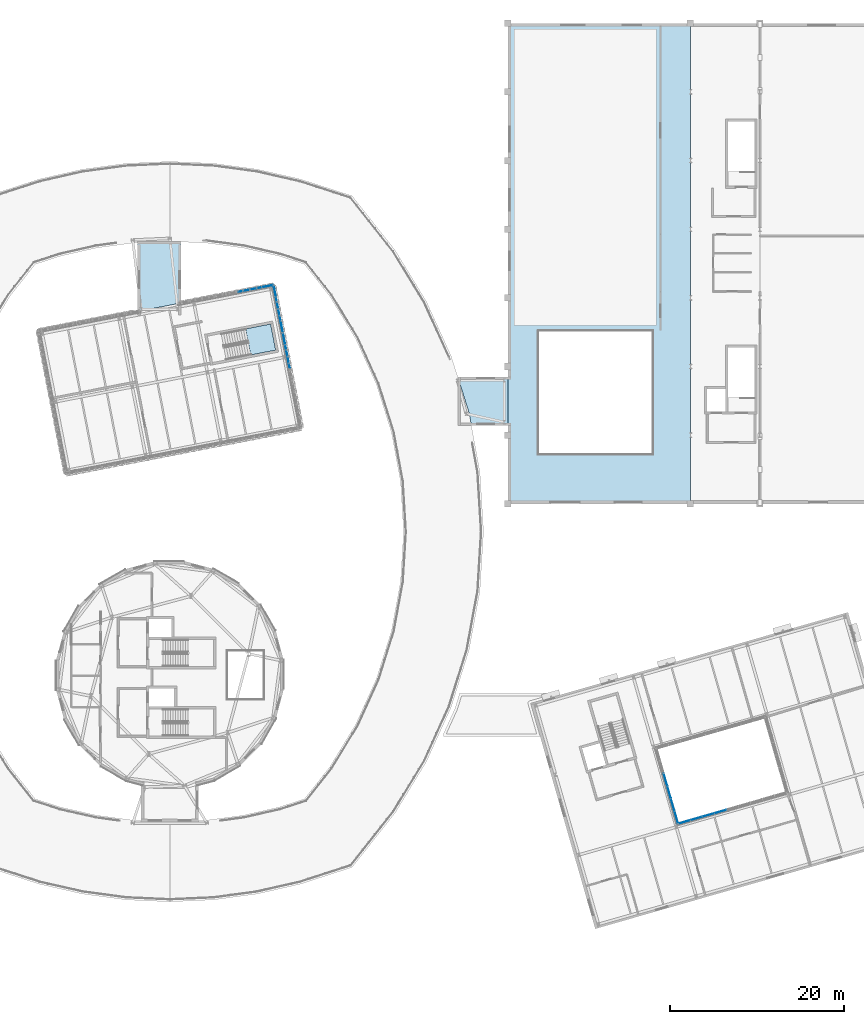
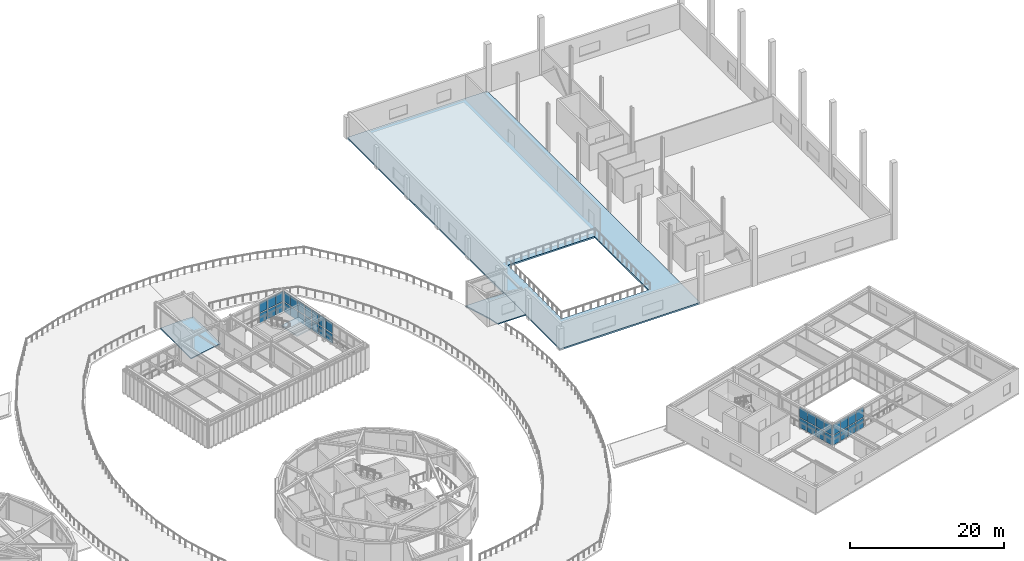
# One storey, part 29 of 59: 36 plates, 4 slabs, 6 elements without a shape of their own.
"""IFC4 building model written with IfcOpenShell, lengths in metres."""

from ifc_helpers import new_model, si_unit, direction, frame, origin, origin_2d, place, context, subcontext, project, spatial, polyline, rectangle, outline, extrude, material, layer, layer_set, type_object, element, aggregate, save


model = new_model("IFC4")

# Units and contexts
model_context = context("Model", 3, precision=1e-05, world=origin(), true_north=direction((0.0, 1.0)))
body_context = subcontext(model_context, "Body", "Model", "MODEL_VIEW")
ifc_project = project(units=[si_unit("LENGTHUNIT", "METRE"), si_unit("AREAUNIT", "SQUARE_METRE"), si_unit("VOLUMEUNIT", "CUBIC_METRE"), si_unit("PLANEANGLEUNIT", "RADIAN"), si_unit("MASSUNIT", "GRAM", prefix="KILO")], contexts=[model_context])

# Site, building, storey
site_placement = place(None, origin())
site = spatial("IfcSite", under=ifc_project, at=site_placement, CompositionType="ELEMENT")
building_placement = place(site_placement, origin())
building = spatial("IfcBuilding", under=site, at=building_placement, Name="Varnklinge Art Gallery", CompositionType="ELEMENT")
storey_placement = place(building_placement, frame((0.0, 0.0, 9.52001953125)))
storey = spatial("IfcBuildingStorey", under=building, at=storey_placement, Name="L02", CompositionType="ELEMENT", Elevation=9.52001953125)

# Curtain wall, plates
ifc_material_1 = material(Name="Anodised Aluminium", Category="aluminium")
curtain_wall_type_1 = type_object("IfcCurtainWallType", Name="CW-C03", PredefinedType="USERDEFINED", material=ifc_material_1)
curtain_wall_1_placement = place(storey_placement, origin())
curtain_wall_1 = element("IfcCurtainWall", 1, at=curtain_wall_1_placement, inside=storey, type_object=curtain_wall_type_1, Name="L02 Curtain Wall CW-V6C-L02-1", ObjectType="UNITISED CURTAIN WALL", PredefinedType="USERDEFINED")
ifc_material_2 = material(Name="Insulated Low-E Triple Glazing", Category="glass")
ifc_layer_1 = layer(ifc_material_2, 0.031982421875)
ifc_layer_set_1 = layer_set([ifc_layer_1], Name="Insulated Low-E Triple Glazing")
plate_type_1 = type_object("IfcPlateType", Name="GLZ-32", PredefinedType="CURTAIN_PANEL", material=ifc_layer_set_1)
plate_1_placement = place(storey_placement, frame((138.851806640625, 22.776123046875, 0.1181640625), z_axis=(0.0, 0.0, 1.0), x_axis=(-0.961261695938, -0.275637355817, 0.0)))
plate_1 = element("IfcPlate", 2, at=plate_1_placement, type_object=plate_type_1, Name="CW-V6C-L02-1 Glazing Panel 6.1", PredefinedType="CURTAIN_PANEL", context=body_context, shape_type="SweptSolid", body=[
    extrude(rectangle(XDim=1.388427734375, YDim=0.031982421875, at=origin_2d()), origin(), (0.0, 0.0, 1.0), 1.489501953125),
])
plate_2_placement = place(storey_placement, frame((138.851806640625, 22.776123046875, 1.7236328125), z_axis=(0.0, 0.0, 1.0), x_axis=(-0.961261695938, -0.275637355817, 0.0)))
plate_2 = element("IfcPlate", 3, at=plate_2_placement, type_object=plate_type_1, Name="CW-V6C-L02-1 Glazing Panel 6.2", PredefinedType="CURTAIN_PANEL", context=body_context, shape_type="SweptSolid", body=[
    extrude(rectangle(XDim=1.388427734375, YDim=0.031982421875, at=origin_2d()), origin(), (0.0, 0.0, 1.0), 1.62841796875),
])
plate_3_placement = place(storey_placement, frame((137.46337890625, 22.378173828125, 0.1181640625), z_axis=(0.0, 0.0, 1.0), x_axis=(-0.961261695938, -0.275637355817, 0.0)))
plate_3 = element("IfcPlate", 4, at=plate_3_placement, type_object=plate_type_1, Name="CW-V6C-L02-1 Glazing Panel 7.1", PredefinedType="CURTAIN_PANEL", context=body_context, shape_type="SweptSolid", body=[
    extrude(rectangle(XDim=1.388427734375, YDim=0.031982421875, at=origin_2d()), origin(), (0.0, 0.0, 1.0), 1.489501953125),
])
plate_4_placement = place(storey_placement, frame((137.46337890625, 22.378173828125, 1.7236328125), z_axis=(0.0, 0.0, 1.0), x_axis=(-0.961261695938, -0.275637355817, 0.0)))
plate_4 = element("IfcPlate", 5, at=plate_4_placement, type_object=plate_type_1, Name="CW-V6C-L02-1 Glazing Panel 7.2", PredefinedType="CURTAIN_PANEL", context=body_context, shape_type="SweptSolid", body=[
    extrude(rectangle(XDim=1.388427734375, YDim=0.031982421875, at=origin_2d()), origin(), (0.0, 0.0, 1.0), 1.62841796875),
])
plate_5_placement = place(storey_placement, frame((136.074951171875, 21.97998046875, 0.1181640625), z_axis=(0.0, 0.0, 1.0), x_axis=(-0.961261695938, -0.275637355817, 0.0)))
plate_5 = element("IfcPlate", 6, at=plate_5_placement, type_object=plate_type_1, Name="CW-V6C-L02-1 Glazing Panel 8.1", PredefinedType="CURTAIN_PANEL", context=body_context, shape_type="SweptSolid", body=[
    extrude(rectangle(XDim=1.388427734375, YDim=0.031982421875, at=origin_2d()), origin(), (0.0, 0.0, 1.0), 1.489501953125),
])
plate_6_placement = place(storey_placement, frame((136.074951171875, 21.97998046875, 1.7236328125), z_axis=(0.0, 0.0, 1.0), x_axis=(-0.961261695938, -0.275637355817, 0.0)))
plate_6 = element("IfcPlate", 7, at=plate_6_placement, type_object=plate_type_1, Name="CW-V6C-L02-1 Glazing Panel 8.2", PredefinedType="CURTAIN_PANEL", context=body_context, shape_type="SweptSolid", body=[
    extrude(rectangle(XDim=1.388427734375, YDim=0.031982421875, at=origin_2d()), origin(), (0.0, 0.0, 1.0), 1.62841796875),
])
plate_7_placement = place(storey_placement, frame((134.700927734375, 21.5859375, 0.1181640625), z_axis=(0.0, 0.0, 1.0), x_axis=(-0.961261695938, -0.275637355817, 0.0)))
plate_7 = element("IfcPlate", 8, at=plate_7_placement, type_object=plate_type_1, Name="CW-V6C-L02-1 Glazing Panel 9.1", PredefinedType="CURTAIN_PANEL", context=body_context, shape_type="SweptSolid", body=[
    extrude(rectangle(XDim=1.3583984375, YDim=0.031982421875, at=origin_2d()), origin(), (0.0, 0.0, 1.0), 1.489501953125),
])
plate_8_placement = place(storey_placement, frame((134.700927734375, 21.5859375, 1.7236328125), z_axis=(0.0, 0.0, 1.0), x_axis=(-0.961261695938, -0.275637355817, 0.0)))
plate_8 = element("IfcPlate", 9, at=plate_8_placement, type_object=plate_type_1, Name="CW-V6C-L02-1 Glazing Panel 9.2", PredefinedType="CURTAIN_PANEL", context=body_context, shape_type="SweptSolid", body=[
    extrude(rectangle(XDim=1.3583984375, YDim=0.031982421875, at=origin_2d()), origin(), (0.0, 0.0, 1.0), 1.62841796875),
])
aggregate(curtain_wall_1, [plate_1, plate_2, plate_3, plate_4, plate_5, plate_6, plate_7, plate_8])

curtain_wall_2_placement = place(storey_placement, origin())
curtain_wall_2 = element("IfcCurtainWall", 10, at=curtain_wall_2_placement, inside=storey, type_object=curtain_wall_type_1, Name="L02 Curtain Wall CW-V6C-L02-4", ObjectType="UNITISED CURTAIN WALL", PredefinedType="USERDEFINED")
plate_9_placement = place(storey_placement, frame((133.78125, 22.1181640625, 0.1181640625), z_axis=(0.0, 0.0, 1.0), x_axis=(-0.275637355817, 0.961261695938, 0.0)))
plate_9 = element("IfcPlate", 11, at=plate_9_placement, type_object=plate_type_1, Name="CW-V6C-L02-4 Glazing Panel 1.1", PredefinedType="CURTAIN_PANEL", context=body_context, shape_type="SweptSolid", body=[
    extrude(rectangle(XDim=1.4140625, YDim=0.031982421875, at=origin_2d()), origin(), (0.0, 0.0, 1.0), 1.489501953125),
])
plate_10_placement = place(storey_placement, frame((133.78125, 22.1181640625, 1.7236328125), z_axis=(0.0, 0.0, 1.0), x_axis=(-0.275637355817, 0.961261695938, 0.0)))
plate_10 = element("IfcPlate", 12, at=plate_10_placement, type_object=plate_type_1, Name="CW-V6C-L02-4 Glazing Panel 1.2", PredefinedType="CURTAIN_PANEL", context=body_context, shape_type="SweptSolid", body=[
    extrude(rectangle(XDim=1.4140625, YDim=0.031982421875, at=origin_2d()), origin(), (0.0, 0.0, 1.0), 1.62841796875),
])
plate_11_placement = place(storey_placement, frame((133.3720703125, 23.54541015625, 0.1181640625), z_axis=(0.0, 0.0, 1.0), x_axis=(-0.275637355817, 0.961261695938, 0.0)))
plate_11 = element("IfcPlate", 13, at=plate_11_placement, type_object=plate_type_1, Name="CW-V6C-L02-4 Glazing Panel 2.1", PredefinedType="CURTAIN_PANEL", context=body_context, shape_type="SweptSolid", body=[
    extrude(rectangle(XDim=1.444091796875, YDim=0.031982421875, at=origin_2d()), origin(), (0.0, 0.0, 1.0), 1.489501953125),
])
plate_12_placement = place(storey_placement, frame((133.3720703125, 23.54541015625, 1.7236328125), z_axis=(0.0, 0.0, 1.0), x_axis=(-0.275637355817, 0.961261695938, 0.0)))
plate_12 = element("IfcPlate", 14, at=plate_12_placement, type_object=plate_type_1, Name="CW-V6C-L02-4 Glazing Panel 2.2", PredefinedType="CURTAIN_PANEL", context=body_context, shape_type="SweptSolid", body=[
    extrude(rectangle(XDim=1.444091796875, YDim=0.031982421875, at=origin_2d()), origin(), (0.0, 0.0, 1.0), 1.62841796875),
])
plate_13_placement = place(storey_placement, frame((132.95849609375, 24.9873046875, 0.1181640625), z_axis=(0.0, 0.0, 1.0), x_axis=(-0.275637355817, 0.961261695938, 0.0)))
plate_13 = element("IfcPlate", 15, at=plate_13_placement, type_object=plate_type_1, Name="CW-V6C-L02-4 Glazing Panel 3.1", PredefinedType="CURTAIN_PANEL", context=body_context, shape_type="SweptSolid", body=[
    extrude(rectangle(XDim=1.444091796875, YDim=0.031982421875, at=origin_2d()), origin(), (0.0, 0.0, 1.0), 1.489501953125),
])
plate_14_placement = place(storey_placement, frame((132.95849609375, 24.9873046875, 1.7236328125), z_axis=(0.0, 0.0, 1.0), x_axis=(-0.275637355817, 0.961261695938, 0.0)))
plate_14 = element("IfcPlate", 16, at=plate_14_placement, type_object=plate_type_1, Name="CW-V6C-L02-4 Glazing Panel 3.2", PredefinedType="CURTAIN_PANEL", context=body_context, shape_type="SweptSolid", body=[
    extrude(rectangle(XDim=1.444091796875, YDim=0.031982421875, at=origin_2d()), origin(), (0.0, 0.0, 1.0), 1.62841796875),
])
plate_15_placement = place(storey_placement, frame((132.545166015625, 26.42919921875, 0.1181640625), z_axis=(0.0, 0.0, 1.0), x_axis=(-0.275637355817, 0.961261695938, 0.0)))
plate_15 = element("IfcPlate", 17, at=plate_15_placement, type_object=plate_type_1, Name="CW-V6C-L02-4 Glazing Panel 4.1", PredefinedType="CURTAIN_PANEL", context=body_context, shape_type="SweptSolid", body=[
    extrude(rectangle(XDim=1.444091796875, YDim=0.031982421875, at=origin_2d()), origin(), (0.0, 0.0, 1.0), 1.489501953125),
])
plate_16_placement = place(storey_placement, frame((132.545166015625, 26.42919921875, 1.7236328125), z_axis=(0.0, 0.0, 1.0), x_axis=(-0.275637355817, 0.961261695938, 0.0)))
plate_16 = element("IfcPlate", 18, at=plate_16_placement, type_object=plate_type_1, Name="CW-V6C-L02-4 Glazing Panel 4.2", PredefinedType="CURTAIN_PANEL", context=body_context, shape_type="SweptSolid", body=[
    extrude(rectangle(XDim=1.444091796875, YDim=0.031982421875, at=origin_2d()), origin(), (0.0, 0.0, 1.0), 1.62841796875),
])
aggregate(curtain_wall_2, [plate_9, plate_10, plate_11, plate_12, plate_13, plate_14, plate_15, plate_16])

ifc_material_3 = material(Name="Anodised Aluminium", Category="aluminium")
curtain_wall_type_2 = type_object("IfcCurtainWallType", Name="CW-L07", PredefinedType="USERDEFINED", material=ifc_material_3)
curtain_wall_3_placement = place(storey_placement, origin())
curtain_wall_3 = element("IfcCurtainWall", 19, at=curtain_wall_3_placement, inside=storey, type_object=curtain_wall_type_2, Name="L02 Curtain Wall CW-V4B-L02-2-1-2", ObjectType="UNITISED CURTAIN WALL", PredefinedType="USERDEFINED")
ifc_material_4 = material(Name="Insulated Low-E Triple Glazing", Category="glass")
ifc_layer_2 = layer(ifc_material_4, 0.0439453125)
ifc_layer_set_2 = layer_set([ifc_layer_2], Name="Insulated Low-E Triple Glazing")
plate_type_2 = type_object("IfcPlateType", Name="GLZ-44", PredefinedType="CURTAIN_PANEL", material=ifc_layer_set_2)
plate_17_placement = place(storey_placement, frame((89.18017578125, 74.446044921875, 0.14794921875), z_axis=(0.0, 0.0, 1.0), x_axis=(-0.190808995377, 0.981627183448, 0.0)))
plate_17 = element("IfcPlate", 20, at=plate_17_placement, type_object=plate_type_2, Name="CW-V4B-L02-2-1-2 Glazing Panel 2.1", PredefinedType="CURTAIN_PANEL", context=body_context, shape_type="SweptSolid", body=[
    extrude(rectangle(XDim=1.3291015625, YDim=0.0439453125, at=origin_2d()), origin(), (0.0, 0.0, 1.0), 1.4638671875),
])
plate_18_placement = place(storey_placement, frame((89.18017578125, 74.446044921875, 1.7578125), z_axis=(0.0, 0.0, 1.0), x_axis=(-0.190808995377, 0.981627183448, 0.0)))
plate_18 = element("IfcPlate", 21, at=plate_18_placement, type_object=plate_type_2, Name="CW-V4B-L02-2-1-2 Glazing Panel 2.2", PredefinedType="CURTAIN_PANEL", context=body_context, shape_type="SweptSolid", body=[
    extrude(rectangle(XDim=1.3291015625, YDim=0.0439453125, at=origin_2d()), origin(), (0.0, 0.0, 1.0), 1.604248046875),
])
plate_19_placement = place(storey_placement, frame((88.912841796875, 75.8203125, 0.14794921875), z_axis=(0.0, 0.0, 1.0), x_axis=(-0.190808995377, 0.981627183448, 0.0)))
plate_19 = element("IfcPlate", 22, at=plate_19_placement, type_object=plate_type_2, Name="CW-V4B-L02-2-1-2 Glazing Panel 3.1", PredefinedType="CURTAIN_PANEL", context=body_context, shape_type="SweptSolid", body=[
    extrude(rectangle(XDim=1.3291015625, YDim=0.0439453125, at=origin_2d()), origin(), (0.0, 0.0, 1.0), 1.4638671875),
])
plate_20_placement = place(storey_placement, frame((88.912841796875, 75.8203125, 1.7578125), z_axis=(0.0, 0.0, 1.0), x_axis=(-0.190808995377, 0.981627183448, 0.0)))
plate_20 = element("IfcPlate", 23, at=plate_20_placement, type_object=plate_type_2, Name="CW-V4B-L02-2-1-2 Glazing Panel 3.2", PredefinedType="CURTAIN_PANEL", context=body_context, shape_type="SweptSolid", body=[
    extrude(rectangle(XDim=1.3291015625, YDim=0.0439453125, at=origin_2d()), origin(), (0.0, 0.0, 1.0), 1.604248046875),
])
plate_21_placement = place(storey_placement, frame((88.6494140625, 77.17626953125, 0.14794921875), z_axis=(0.0, 0.0, 1.0), x_axis=(-0.190808995377, 0.981627183448, 0.0)))
plate_21 = element("IfcPlate", 24, at=plate_21_placement, type_object=plate_type_2, Name="CW-V4B-L02-2-1-2 Glazing Panel 4.1", PredefinedType="CURTAIN_PANEL", context=body_context, shape_type="SweptSolid", body=[
    extrude(rectangle(XDim=1.29150390625, YDim=0.0439453125, at=origin_2d()), origin(), (0.0, 0.0, 1.0), 1.4638671875),
])
plate_22_placement = place(storey_placement, frame((88.6494140625, 77.17626953125, 1.7578125), z_axis=(0.0, 0.0, 1.0), x_axis=(-0.190808995377, 0.981627183448, 0.0)))
plate_22 = element("IfcPlate", 25, at=plate_22_placement, type_object=plate_type_2, Name="CW-V4B-L02-2-1-2 Glazing Panel 4.2", PredefinedType="CURTAIN_PANEL", context=body_context, shape_type="SweptSolid", body=[
    extrude(rectangle(XDim=1.29150390625, YDim=0.0439453125, at=origin_2d()), origin(), (0.0, 0.0, 1.0), 1.604248046875),
])
aggregate(curtain_wall_3, [plate_17, plate_18, plate_19, plate_20, plate_21, plate_22])

curtain_wall_4_placement = place(storey_placement, origin())
curtain_wall_4 = element("IfcCurtainWall", 26, at=curtain_wall_4_placement, inside=storey, type_object=curtain_wall_type_2, Name="L02 Curtain Wall CW-V4B-L02-2-1-3", ObjectType="UNITISED CURTAIN WALL", PredefinedType="USERDEFINED")
plate_23_placement = place(storey_placement, frame((88.375, 78.587158203125, 0.14794921875), z_axis=(0.0, 0.0, 1.0), x_axis=(-0.190808995377, 0.981627183448, 0.0)))
plate_23 = element("IfcPlate", 27, at=plate_23_placement, type_object=plate_type_2, Name="CW-V4B-L02-2-1-3 Glazing Panel 1.1", PredefinedType="CURTAIN_PANEL", context=body_context, shape_type="SweptSolid", body=[
    extrude(rectangle(XDim=1.29150390625, YDim=0.0439453125, at=origin_2d()), origin(), (0.0, 0.0, 1.0), 1.4638671875),
])
plate_24_placement = place(storey_placement, frame((88.375, 78.587158203125, 1.7578125), z_axis=(0.0, 0.0, 1.0), x_axis=(-0.190808995377, 0.981627183448, 0.0)))
plate_24 = element("IfcPlate", 28, at=plate_24_placement, type_object=plate_type_2, Name="CW-V4B-L02-2-1-3 Glazing Panel 1.2", PredefinedType="CURTAIN_PANEL", context=body_context, shape_type="SweptSolid", body=[
    extrude(rectangle(XDim=1.29150390625, YDim=0.0439453125, at=origin_2d()), origin(), (0.0, 0.0, 1.0), 1.604248046875),
])
plate_25_placement = place(storey_placement, frame((88.111572265625, 79.943115234375, 0.14794921875), z_axis=(0.0, 0.0, 1.0), x_axis=(-0.190808995377, 0.981627183448, 0.0)))
plate_25 = element("IfcPlate", 29, at=plate_25_placement, type_object=plate_type_2, Name="CW-V4B-L02-2-1-3 Glazing Panel 2.1", PredefinedType="CURTAIN_PANEL", context=body_context, shape_type="SweptSolid", body=[
    extrude(rectangle(XDim=1.3291015625, YDim=0.0439453125, at=origin_2d()), origin(), (0.0, 0.0, 1.0), 1.4638671875),
])
plate_26_placement = place(storey_placement, frame((88.111572265625, 79.943115234375, 1.7578125), z_axis=(0.0, 0.0, 1.0), x_axis=(-0.190808995377, 0.981627183448, 0.0)))
plate_26 = element("IfcPlate", 30, at=plate_26_placement, type_object=plate_type_2, Name="CW-V4B-L02-2-1-3 Glazing Panel 2.2", PredefinedType="CURTAIN_PANEL", context=body_context, shape_type="SweptSolid", body=[
    extrude(rectangle(XDim=1.3291015625, YDim=0.0439453125, at=origin_2d()), origin(), (0.0, 0.0, 1.0), 1.604248046875),
])
plate_27_placement = place(storey_placement, frame((87.844482421875, 81.3173828125, 0.14794921875), z_axis=(0.0, 0.0, 1.0), x_axis=(-0.190808995377, 0.981627183448, 0.0)))
plate_27 = element("IfcPlate", 31, at=plate_27_placement, type_object=plate_type_2, Name="CW-V4B-L02-2-1-3 Glazing Panel 3.1", PredefinedType="CURTAIN_PANEL", context=body_context, shape_type="SweptSolid", body=[
    extrude(rectangle(XDim=1.3291015625, YDim=0.0439453125, at=origin_2d()), origin(), (0.0, 0.0, 1.0), 1.4638671875),
])
plate_28_placement = place(storey_placement, frame((87.844482421875, 81.3173828125, 1.7578125), z_axis=(0.0, 0.0, 1.0), x_axis=(-0.190808995377, 0.981627183448, 0.0)))
plate_28 = element("IfcPlate", 32, at=plate_28_placement, type_object=plate_type_2, Name="CW-V4B-L02-2-1-3 Glazing Panel 3.2", PredefinedType="CURTAIN_PANEL", context=body_context, shape_type="SweptSolid", body=[
    extrude(rectangle(XDim=1.3291015625, YDim=0.0439453125, at=origin_2d()), origin(), (0.0, 0.0, 1.0), 1.604248046875),
])
plate_29_placement = place(storey_placement, frame((87.580810546875, 82.67333984375, 0.14794921875), z_axis=(0.0, 0.0, 1.0), x_axis=(-0.190808995377, 0.981627183448, 0.0)))
plate_29 = element("IfcPlate", 33, at=plate_29_placement, type_object=plate_type_2, Name="CW-V4B-L02-2-1-3 Glazing Panel 4.1", PredefinedType="CURTAIN_PANEL", context=body_context, shape_type="SweptSolid", body=[
    extrude(rectangle(XDim=1.29150390625, YDim=0.0439453125, at=origin_2d()), origin(), (0.0, 0.0, 1.0), 1.4638671875),
])
plate_30_placement = place(storey_placement, frame((87.580810546875, 82.67333984375, 1.7578125), z_axis=(0.0, 0.0, 1.0), x_axis=(-0.190808995377, 0.981627183448, 0.0)))
plate_30 = element("IfcPlate", 34, at=plate_30_placement, type_object=plate_type_2, Name="CW-V4B-L02-2-1-3 Glazing Panel 4.2", PredefinedType="CURTAIN_PANEL", context=body_context, shape_type="SweptSolid", body=[
    extrude(rectangle(XDim=1.29150390625, YDim=0.0439453125, at=origin_2d()), origin(), (0.0, 0.0, 1.0), 1.604248046875),
])
aggregate(curtain_wall_4, [plate_23, plate_24, plate_25, plate_26, plate_27, plate_28, plate_29, plate_30])

curtain_wall_5_placement = place(storey_placement, origin())
curtain_wall_5 = element("IfcCurtainWall", 35, at=curtain_wall_5_placement, inside=storey, type_object=curtain_wall_type_2, Name="L02 Curtain Wall CW-V4B-L02-3-1-1", ObjectType="UNITISED CURTAIN WALL", PredefinedType="USERDEFINED")
plate_31_placement = place(storey_placement, frame((86.739990234375, 83.241943359375, 0.14794921875), z_axis=(0.0, 0.0, 1.0), x_axis=(-0.981627183448, -0.190808995377, 0.0)))
plate_31 = element("IfcPlate", 36, at=plate_31_placement, type_object=plate_type_2, Name="CW-V4B-L02-3-1-1 Glazing Panel 1.1", PredefinedType="CURTAIN_PANEL", context=body_context, shape_type="SweptSolid", body=[
    extrude(rectangle(XDim=1.28759765625, YDim=0.0439453125, at=origin_2d()), origin(), (0.0, 0.0, 1.0), 1.4638671875),
])
plate_32_placement = place(storey_placement, frame((86.739990234375, 83.241943359375, 1.7578125), z_axis=(0.0, 0.0, 1.0), x_axis=(-0.981627183448, -0.190808995377, 0.0)))
plate_32 = element("IfcPlate", 37, at=plate_32_placement, type_object=plate_type_2, Name="CW-V4B-L02-3-1-1 Glazing Panel 1.2", PredefinedType="CURTAIN_PANEL", context=body_context, shape_type="SweptSolid", body=[
    extrude(rectangle(XDim=1.28759765625, YDim=0.0439453125, at=origin_2d()), origin(), (0.0, 0.0, 1.0), 1.604248046875),
])
plate_33_placement = place(storey_placement, frame((85.387939453125, 82.979248046875, 0.14794921875), z_axis=(0.0, 0.0, 1.0), x_axis=(-0.981627183448, -0.190808995377, 0.0)))
plate_33 = element("IfcPlate", 38, at=plate_33_placement, type_object=plate_type_2, Name="CW-V4B-L02-3-1-1 Glazing Panel 2.1", PredefinedType="CURTAIN_PANEL", context=body_context, shape_type="SweptSolid", body=[
    extrude(rectangle(XDim=1.3251953125, YDim=0.0439453125, at=origin_2d()), origin(), (0.0, 0.0, 1.0), 1.4638671875),
])
plate_34_placement = place(storey_placement, frame((85.387939453125, 82.979248046875, 1.7578125), z_axis=(0.0, 0.0, 1.0), x_axis=(-0.981627183448, -0.190808995377, 0.0)))
plate_34 = element("IfcPlate", 39, at=plate_34_placement, type_object=plate_type_2, Name="CW-V4B-L02-3-1-1 Glazing Panel 2.2", PredefinedType="CURTAIN_PANEL", context=body_context, shape_type="SweptSolid", body=[
    extrude(rectangle(XDim=1.3251953125, YDim=0.0439453125, at=origin_2d()), origin(), (0.0, 0.0, 1.0), 1.604248046875),
])
plate_35_placement = place(storey_placement, frame((84.017578125, 82.712890625, 0.14794921875), z_axis=(0.0, 0.0, 1.0), x_axis=(-0.981627183448, -0.190808995377, 0.0)))
plate_35 = element("IfcPlate", 40, at=plate_35_placement, type_object=plate_type_2, Name="CW-V4B-L02-3-1-1 Glazing Panel 3.1", PredefinedType="CURTAIN_PANEL", context=body_context, shape_type="SweptSolid", body=[
    extrude(rectangle(XDim=1.3251953125, YDim=0.0439453125, at=origin_2d()), origin(), (0.0, 0.0, 1.0), 1.4638671875),
])
plate_36_placement = place(storey_placement, frame((84.017578125, 82.712890625, 1.7578125), z_axis=(0.0, 0.0, 1.0), x_axis=(-0.981627183448, -0.190808995377, 0.0)))
plate_36 = element("IfcPlate", 41, at=plate_36_placement, type_object=plate_type_2, Name="CW-V4B-L02-3-1-1 Glazing Panel 3.2", PredefinedType="CURTAIN_PANEL", context=body_context, shape_type="SweptSolid", body=[
    extrude(rectangle(XDim=1.3251953125, YDim=0.0439453125, at=origin_2d()), origin(), (0.0, 0.0, 1.0), 1.604248046875),
])
aggregate(curtain_wall_5, [plate_31, plate_32, plate_33, plate_34, plate_35, plate_36])

# Slabs
ifc_material_5 = material(Name="Concrete C35/45", Category="concrete")
ifc_layer_3 = layer(ifc_material_5, 0.179931640625)
ifc_layer_set_3 = layer_set([ifc_layer_3], Name="Concrete C35/45")
slab_type_1 = type_object("IfcSlabType", Name="SLB-F18", PredefinedType="FLOOR", material=ifc_layer_set_3)
slab_1_placement = place(storey_placement, frame((0.0, 0.0, -0.179931640625)))
element("IfcSlab", 42, at=slab_1_placement, inside=storey, type_object=slab_type_1, Name="L02 LNK-V1 Gallery Link Slab", PredefinedType="FLOOR", context=body_context, shape_type="SweptSolid", body=[
    extrude(outline(polyline([(108.634521484375, 72.800048828125), (109.93798828125, 68.650146484375), (110.2060546875, 67.199951171875), (114.39990234375, 67.199951171875), (114.39990234375, 72.800048828125), (108.634521484375, 72.800048828125)])), origin(), (0.0, 0.0, 1.0), 0.179931640625),
])
slab_2_placement = place(storey_placement, frame((0.0, 0.0, -0.179931640625)))
element("IfcSlab", 43, at=slab_2_placement, inside=storey, type_object=slab_type_1, Name="L02 LNK-V4N Gallery Link Slab", PredefinedType="FLOOR", context=body_context, shape_type="SweptSolid", body=[
    extrude(outline(polyline([(71.800048828125, 80.337890625), (76.800048828125, 81.309814453125), (76.800048828125, 88.337158203125), (75.5, 88.3955078125), (71.800048828125, 88.2294921875), (71.800048828125, 80.337890625)])), origin(), (0.0, 0.0, 1.0), 0.179931640625),
])
ifc_material_6 = material(Name="Concrete C35/45", Category="concrete")
ifc_layer_4 = layer(ifc_material_6, 0.25)
ifc_layer_set_4 = layer_set([ifc_layer_4], Name="Concrete C35/45")
slab_type_2 = type_object("IfcSlabType", Name="SLB-F25", PredefinedType="FLOOR", material=ifc_layer_set_4)
slab_3_placement = place(storey_placement, frame((0.0, 0.0, -0.25)))
element("IfcSlab", 44, at=slab_3_placement, inside=storey, type_object=slab_type_2, Name="L02 Shell Hall W Floor Slab", PredefinedType="FLOOR", context=body_context, shape_type="SweptSolid", body=[
    extrude(outline(polyline([(114.39990234375, 58.199951171875), (135.39990234375, 58.199951171875), (135.39990234375, 113.5), (114.39990234375, 113.5), (114.39990234375, 58.199951171875)]), holes=[polyline([(118.0, 78.0), (131.0, 78.0), (131.0, 64.0), (118.0, 64.0), (118.0, 78.0)])]), origin(), (0.0, 0.0, 1.0), 0.25),
])

# Stair, slab
ifc_material_7 = material(Name="Concrete C40/50", Category="concrete")
stair_type = type_object("IfcStairType", Name="STR-C4160", PredefinedType="HALF_TURN_STAIR", material=ifc_material_7)
stair_placement = place(storey_placement, origin())
stair = element("IfcStair", 45, at=stair_placement, inside=storey, type_object=stair_type, Name="L02 Core C8 Stair ST-10", PredefinedType="HALF_TURN_STAIR")
ifc_material_8 = material(Name="Concrete C40/50", Category="concrete")
ifc_layer_5 = layer(ifc_material_8, 0.199951171875)
ifc_layer_set_5 = layer_set([ifc_layer_5], Name="Concrete C40/50")
slab_type_3 = type_object("IfcSlabType", Name="SLB-LND20", PredefinedType="LANDING", material=ifc_layer_set_5)
slab_4_placement = place(storey_placement, frame((0.0, 0.0, 1.8798828125)))
slab_4 = element("IfcSlab", 46, at=slab_4_placement, type_object=slab_type_3, Name="ST-10 landing 1", PredefinedType="LANDING", context=body_context, shape_type="SweptSolid", body=[
    extrude(outline(polyline([(84.801513671875, 75.32666015625), (87.677734375, 75.8857421875), (87.09375, 78.8896484375), (84.217529296875, 78.33056640625), (84.801513671875, 75.32666015625)])), origin(), (0.0, 0.0, 1.0), 0.2001953125),
])
aggregate(stair, [slab_4])

save(model, "model.ifc")
